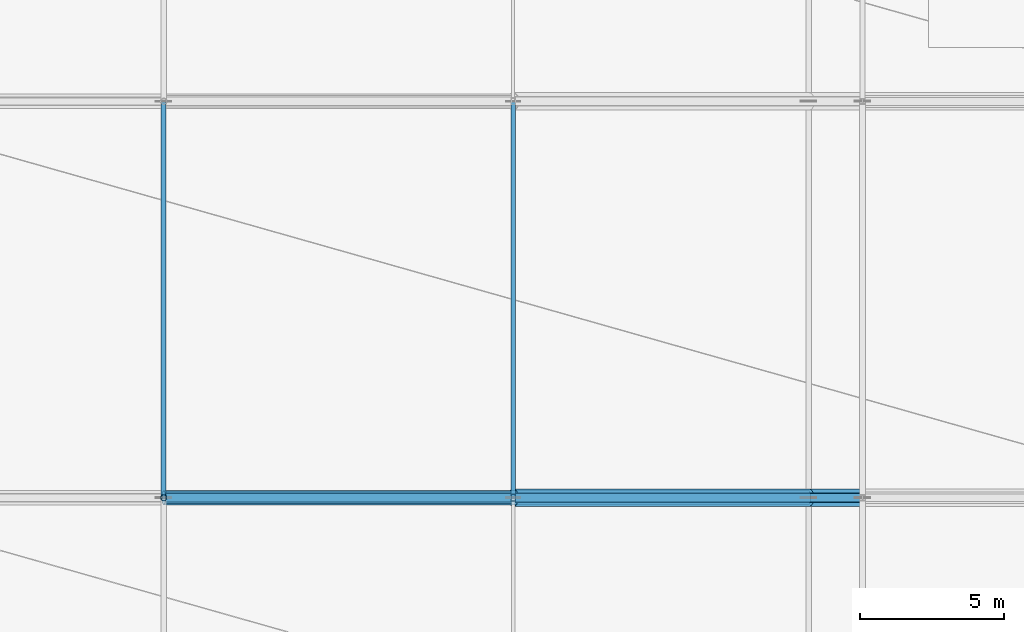
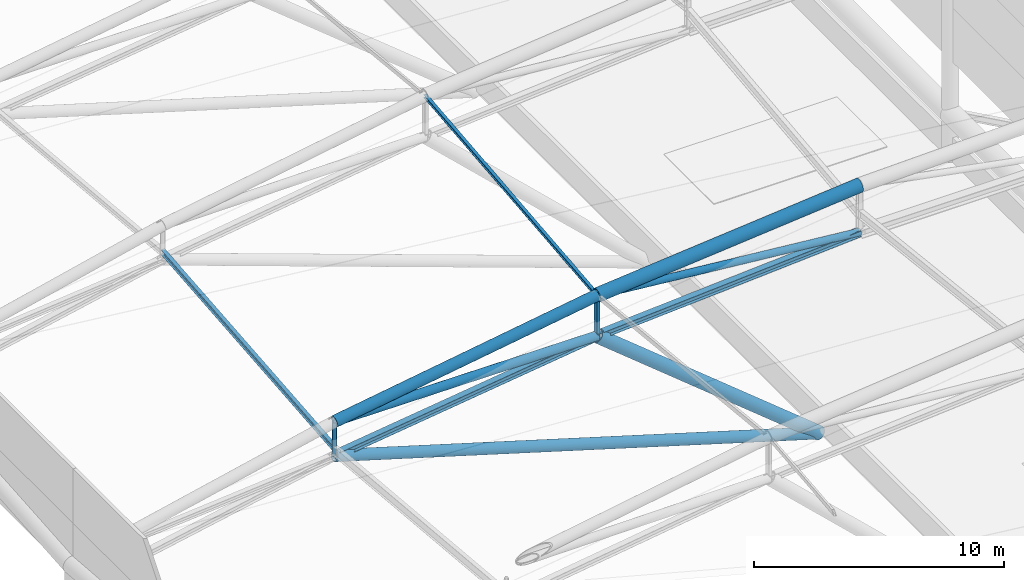
# One storey, part 40 of 113: 12 members.
"""IFC4 building model written with IfcOpenShell, lengths in metres."""

import ifcopenshell
import ifcopenshell.guid

model = None  # the IFC model being written
_history = None  # IfcOwnerHistory: only IFC2X3 demands one
_inside = {}  # id of a spatial element -> (the spatial element, [elements in it])
_under = {}  # id of a project, library or spatial element -> (it, [spatial elements below it])
_declared = {}  # id of a project -> (the project, [libraries it declares])
_typed = {}  # id of a type object -> (the type object, [elements of that type])
_made_of = {}  # id of a material, layer set ... -> (it, [elements and type objects made of it])


def new_model(schema):
    """Start an empty IFC model of exactly this schema.

    Asked for "IFC4X3", IfcOpenShell would pick the latest addendum, in which some entities
    have other attributes; the version numbers below select the first issue.
    IFC2X3 requires an IfcOwnerHistory on every rooted entity: one is made here for all.
    """
    global model, _history
    if schema == "IFC4X3":
        model = ifcopenshell.file(schema_version=(4, 3, 0, 0))
    else:
        model = ifcopenshell.file(schema=schema)
    _inside.clear()
    _under.clear()
    _declared.clear()
    _typed.clear()
    _made_of.clear()
    _history = None
    if model.schema == "IFC2X3":
        org = make("IfcOrganization", Name="unknown")
        user = make(
            "IfcPersonAndOrganization",
            ThePerson=make("IfcPerson", FamilyName="unknown"),
            TheOrganization=org,
        )
        app = make(
            "IfcApplication",
            ApplicationDeveloper=org,
            Version="unknown",
            ApplicationFullName="unknown",
            ApplicationIdentifier="unknown",
        )
        _history = make(
            "IfcOwnerHistory",
            OwningUser=user,
            OwningApplication=app,
            ChangeAction="ADDED",
            CreationDate=0,
        )
    return model


def make(cls, **values):
    """One entity of the class cls with the attributes given. An attribute that is None is left unset."""
    return model.create_entity(
        cls, **{name: value for name, value in values.items() if value is not None}
    )


def rooted(cls, **values):
    """An entity with a GlobalId (a new one), such as an element, a storey or a relation."""
    return make(cls, GlobalId=ifcopenshell.guid.new(), OwnerHistory=_history, **values)


def si_unit(unit_type, name, prefix=None):
    """IfcSIUnit, for example si_unit("LENGTHUNIT", "METRE", prefix="MILLI")."""
    return make("IfcSIUnit", UnitType=unit_type, Prefix=prefix, Name=name)


def assignment(units):
    """IfcUnitAssignment: the units of a project."""
    return None if units is None else make("IfcUnitAssignment", Units=units)


def point(xyz):
    """IfcCartesianPoint."""
    return None if xyz is None else make("IfcCartesianPoint", Coordinates=xyz)


def direction(xyz):
    """IfcDirection."""
    return None if xyz is None else make("IfcDirection", DirectionRatios=xyz)


def frame(location, z_axis=None, x_axis=None):
    """IfcAxis2Placement3D, a coordinate frame: its origin and axes. An axis left out is left unset."""
    return make(
        "IfcAxis2Placement3D",
        Location=point(location),
        Axis=direction(z_axis),
        RefDirection=direction(x_axis),
    )


def frame_2d(location, x_axis=None):
    """IfcAxis2Placement2D, a coordinate frame in the plane: its origin and x axis."""
    return make(
        "IfcAxis2Placement2D", Location=point(location), RefDirection=direction(x_axis)
    )


def origin():
    """The frame at (0, 0, 0) with its axes left unset."""
    return frame((0.0, 0.0, 0.0))


def origin_2d():
    """The frame at (0, 0) in the plane with its x axis left unset."""
    return frame_2d((0.0, 0.0))


def place(relative_to, where):
    """IfcLocalPlacement: puts the frame where relative to a parent placement (None: the world)."""
    return make(
        "IfcLocalPlacement", PlacementRelTo=relative_to, RelativePlacement=where
    )


def context(
    kind, dimensions, precision=None, world=None, true_north=None, identifier=None
):
    """IfcGeometricRepresentationContext, for example the 3D "Model" context."""
    return make(
        "IfcGeometricRepresentationContext",
        ContextIdentifier=identifier,
        ContextType=kind,
        CoordinateSpaceDimension=dimensions,
        Precision=precision,
        WorldCoordinateSystem=world,
        TrueNorth=true_north,
    )


def subcontext(parent, identifier, kind, view, scale=None):
    """IfcGeometricRepresentationSubContext, for example "Body" below "Model"."""
    return make(
        "IfcGeometricRepresentationSubContext",
        ContextIdentifier=identifier,
        ContextType=kind,
        ParentContext=parent,
        TargetScale=scale,
        TargetView=view,
    )


def project(units=None, contexts=None):
    """IfcProject with its units and contexts."""
    return rooted(
        "IfcProject",
        Name="project",
        RepresentationContexts=contexts,
        UnitsInContext=assignment(units),
    )


def spatial(cls, under=None, at=None, **own):
    """A site, building, storey or space (cls), placed at a placement, below another one or the project."""
    s = rooted(cls, ObjectPlacement=at, **own)
    if under is not None:
        _under.setdefault(under.id(), (under, []))[1].append(s)
    return s


def profile(cls, at=None, kind="AREA", **sizes):
    """A parametric profile (cls). Its sizes go by their IFC names, for example OverallWidth=200.0."""
    return make(cls, ProfileType=kind, Position=at, **sizes)


def hollow_rectangle(**sizes):
    """IfcRectangleHollowProfileDef."""
    return profile("IfcRectangleHollowProfileDef", **sizes)


def hollow_circle(**sizes):
    """IfcCircleHollowProfileDef."""
    return profile("IfcCircleHollowProfileDef", **sizes)


def i_section(**sizes):
    """IfcIShapeProfileDef."""
    return profile("IfcIShapeProfileDef", **sizes)


def extrude(swept, where, along, depth):
    """IfcExtrudedAreaSolid: the profile swept, set in the frame where, extruded along a direction by depth."""
    return make(
        "IfcExtrudedAreaSolid",
        SweptArea=swept,
        Position=where,
        ExtrudedDirection=direction(along),
        Depth=depth,
    )


def shape(context_of_items, identifier, shape_type, items):
    """IfcShapeRepresentation: the items that make up one representation, for example the "Body"."""
    return make(
        "IfcShapeRepresentation",
        ContextOfItems=context_of_items,
        RepresentationIdentifier=identifier,
        RepresentationType=shape_type,
        Items=items,
    )


def material(Name=None, Category=None):
    """IfcMaterial."""
    return make("IfcMaterial", Name=Name, Category=Category)


def material_profile(
    of_material, cross_section, Name=None, Category=None, Priority=None
):
    """IfcMaterialProfile: a cross section and its material."""
    return make(
        "IfcMaterialProfile",
        Name=Name,
        Material=of_material,
        Profile=cross_section,
        Priority=Priority,
        Category=Category,
    )


def profile_set(profiles, Name=None, composite=None):
    """IfcMaterialProfileSet."""
    return make(
        "IfcMaterialProfileSet",
        Name=Name,
        MaterialProfiles=profiles,
        CompositeProfile=composite,
    )


def made_of(thing, what):
    """Note that an element or type object is made of a material, layer set ...; save() writes the relation."""
    if what is not None:
        _made_of.setdefault(what.id(), (what, []))[1].append(thing)
    return thing


def type_object(cls, material=None, **own):
    """A type object (cls), such as IfcWallType, which elements share."""
    return made_of(rooted(cls, **own), material)


def element(
    cls,
    number,
    at=None,
    inside=None,
    cuts=None,
    type_object=None,
    material=None,
    context=None,
    identifier="Body",
    shape_type=None,
    held_by="IfcProductDefinitionShape",
    body=None,
    shapes=None,
    **own,
):
    """One element of the class cls, such as IfcWall. Its Tag is "e" and its number.

    at: its placement. inside: the storey or other place that contains it. cuts: it is an
    opening in that element (IfcRelVoidsElement). A single representation is given by context,
    identifier, shape_type and body (its items); several are given by shapes. held_by: the class
    of the entity that holds the representations. save() writes the other relations.
    """
    e = rooted(cls, Tag="e%d" % number, ObjectPlacement=at, **own)
    if body is not None:
        shapes = [shape(context, identifier, shape_type, body)]
    if shapes is not None:
        e.Representation = make(held_by, Representations=shapes)
    if inside is not None:
        _inside.setdefault(inside.id(), (inside, []))[1].append(e)
    if cuts is not None:
        rooted(
            "IfcRelVoidsElement", RelatingBuildingElement=cuts, RelatedOpeningElement=e
        )
    if type_object is not None:
        _typed.setdefault(type_object.id(), (type_object, []))[1].append(e)
    return made_of(e, material)


def aggregate(whole, parts):
    """IfcRelAggregates: a whole, such as a stair, and the parts it consists of."""
    return rooted("IfcRelAggregates", RelatingObject=whole, RelatedObjects=parts)


def save(model, path):
    """Write the relations noted so far, then the file.

    IfcRelAggregates (storeys below a building ...), IfcRelContainedInSpatialStructure (elements
    in a storey), IfcRelDefinesByType, IfcRelAssociatesMaterial and IfcRelDeclares: one each for
    every whole, place, type object, material and project.
    """
    for whole, parts in _under.values():
        aggregate(whole, parts)
    for where, things in _inside.values():
        rooted(
            "IfcRelContainedInSpatialStructure",
            RelatedElements=things,
            RelatingStructure=where,
        )
    for kind, things in _typed.values():
        rooted("IfcRelDefinesByType", RelatedObjects=things, RelatingType=kind)
    for what, things in _made_of.values():
        rooted("IfcRelAssociatesMaterial", RelatedObjects=things, RelatingMaterial=what)
    for by, libraries in _declared.values():
        rooted("IfcRelDeclares", RelatingContext=by, RelatedDefinitions=libraries)
    model.write(path)


model = new_model("IFC4")

# Units and contexts
model_context = context("Model", 3, precision=1e-05, world=origin(), true_north=direction((0.0, 1.0)))
body_context = subcontext(model_context, "Body", "Model", "MODEL_VIEW")
ifc_project = project(units=[si_unit("LENGTHUNIT", "METRE"), si_unit("AREAUNIT", "SQUARE_METRE"), si_unit("VOLUMEUNIT", "CUBIC_METRE"), si_unit("PLANEANGLEUNIT", "RADIAN"), si_unit("MASSUNIT", "GRAM", prefix="KILO")], contexts=[model_context])

# Site, building, storey
site_placement = place(None, origin())
site = spatial("IfcSite", under=ifc_project, at=site_placement, CompositionType="ELEMENT")
building_placement = place(site_placement, origin())
building = spatial("IfcBuilding", under=site, at=building_placement, Name="Linyun Crest Stadium", CompositionType="ELEMENT")
storey_placement = place(building_placement, frame((0.0, 0.0, 26.39990234375)))
storey = spatial("IfcBuildingStorey", under=building, at=storey_placement, Name="L06", CompositionType="ELEMENT", Elevation=26.39990234375)

# Members
ifc_material_1 = material(Name="Steel Q355C", Category="steel")
ifc_material_profile_1 = material_profile(ifc_material_1, i_section(OverallWidth=0.14990234375, OverallDepth=0.14990234375, WebThickness=0.007080078125, FlangeThickness=0.010009765625, at=origin_2d()), Name="HW 150x150")
ifc_profile_set_1 = profile_set([ifc_material_profile_1], Name="Steel Q355C")
member_type_1 = type_object("IfcMemberType", Name="AR01", PredefinedType="USERDEFINED", material=ifc_profile_set_1)
member_1_placement = place(storey_placement, frame((59.75, -11.625, 10.09912109375), z_axis=(0.0, 0.994834033314, 0.101514758336), x_axis=(-1.0, 0.0, 0.0)))
element("IfcMember", 1, at=member_1_placement, inside=storey, type_object=member_type_1, Name="Art Nouveau canopy arch rib AR01 V2 348", ObjectType="ARCH RIB", PredefinedType="USERDEFINED", context=body_context, shape_type="SweptSolid", body=[
    extrude(i_section(OverallWidth=0.14990234375, OverallDepth=0.14990234375, WebThickness=0.007080078125, FlangeThickness=0.010009765625, at=origin_2d()), origin(), (0.0, 0.0, 1.0), 13.8212890625),
])
ifc_material_2 = material(Name="Steel Q355B", Category="steel")
ifc_material_profile_2 = material_profile(ifc_material_2, i_section(OverallWidth=0.175048828125, OverallDepth=0.243896484375, WebThickness=0.007080078125, FlangeThickness=0.010986328125, at=origin_2d()), Name="HM 244x175")
ifc_profile_set_2 = profile_set([ifc_material_profile_2], Name="Steel Q355B")
member_type_2 = type_object("IfcMemberType", Name="PR05", PredefinedType="PURLIN", material=ifc_profile_set_2)
member_2_placement = place(storey_placement, frame((47.625, -11.625, 6.89208984375), z_axis=(0.0, 0.99587405243, 0.09074619384), x_axis=(-1.0, 0.0, 0.0)))
element("IfcMember", 2, at=member_2_placement, inside=storey, type_object=member_type_2, Name="Roof canopy purlin PR05 V2 346", PredefinedType="PURLIN", context=body_context, shape_type="SweptSolid", body=[
    extrude(i_section(OverallWidth=0.175048828125, OverallDepth=0.243896484375, WebThickness=0.007080078125, FlangeThickness=0.010986328125, at=origin_2d()), origin(), (0.0, 0.0, 1.0), 13.806884765625),
])
ifc_material_3 = material(Name="Steel Q420C", Category="steel")
ifc_material_profile_3 = material_profile(ifc_material_3, hollow_circle(Radius=0.25390625, WallThickness=0.02490234375, at=origin_2d()), Name="CHS 508x25")
ifc_profile_set_3 = profile_set([ifc_material_profile_3], Name="Steel Q420C")
member_type_3 = type_object("IfcMemberType", Name="TC01", PredefinedType="CHORD", material=ifc_profile_set_3)
member_3_placement = place(storey_placement, frame((59.75, -11.625, 10.09912109375), z_axis=(-0.987629907488, 0.0, -0.15680295225), x_axis=(0.0, -1.0, 0.0)))
element("IfcMember", 3, at=member_3_placement, inside=storey, type_object=member_type_3, Name="Roof truss top chord TC01 V2 247", PredefinedType="CHORD", context=body_context, shape_type="SweptSolid", body=[
    extrude(hollow_circle(Radius=0.25390625, WallThickness=0.02490234375, at=origin_2d()), origin(), (0.0, 0.0, 1.0), 12.27685546875),
])
member_4_placement = place(storey_placement, frame((70.0, -11.625, -0.21484375), z_axis=(-0.957680635582, 0.0, 0.287832938058), x_axis=(0.0, -1.0, 0.0)))
element("IfcMember", 4, at=member_4_placement, inside=storey, type_object=member_type_3, Name="Roof arch forward V-strut TC01 V2 256", PredefinedType="CHORD", context=body_context, shape_type="SweptSolid", body=[
    extrude(hollow_circle(Radius=0.25390625, WallThickness=0.02490234375, at=origin_2d()), origin(), (0.0, 0.0, 1.0), 23.36376953125),
])
ifc_material_4 = material(Name="Steel Q420C", Category="steel")
ifc_material_profile_4 = material_profile(ifc_material_4, hollow_circle(Radius=0.304931640625, WallThickness=0.030029296875, at=origin_2d()), Name="CHS 610x30")
ifc_profile_set_4 = profile_set([ifc_material_profile_4], Name="Steel Q420C")
member_type_4 = type_object("IfcMemberType", Name="TC02", PredefinedType="CHORD", material=ifc_profile_set_4)
member_5_placement = place(storey_placement, frame((71.875, -11.625, 11.22509765625), z_axis=(-0.995715823804, 0.0, -0.092466200455), x_axis=(0.0, -1.0, 0.0)))
element("IfcMember", 5, at=member_5_placement, inside=storey, type_object=member_type_4, Name="Roof truss top chord TC02 V2 243", PredefinedType="CHORD", context=body_context, shape_type="SweptSolid", body=[
    extrude(hollow_circle(Radius=0.304931640625, WallThickness=0.030029296875, at=origin_2d()), origin(), (0.0, 0.0, 1.0), 12.17724609375),
])
member_6_placement = place(storey_placement, frame((70.0, -11.625, -0.21484375), z_axis=(-0.775752151556, 0.0, 0.631037716271), x_axis=(0.0, -1.0, 0.0)))
element("IfcMember", 6, at=member_6_placement, inside=storey, type_object=member_type_4, Name="Roof arch inclined support strut TC02 V2 255", PredefinedType="CHORD", context=body_context, shape_type="SweptSolid", body=[
    extrude(hollow_circle(Radius=0.304931640625, WallThickness=0.030029296875, at=origin_2d()), origin(), (0.0, 0.0, 1.0), 13.212890625),
])
ifc_material_5 = material(Name="Steel Q355C", Category="steel")
ifc_material_profile_5 = material_profile(ifc_material_5, i_section(OverallWidth=0.300048828125, OverallDepth=0.300048828125, WebThickness=0.010009765625, FlangeThickness=0.014892578125, at=origin_2d()), Name="HW 300x300")
ifc_profile_set_5 = profile_set([ifc_material_profile_5], Name="Steel Q355C")
member_type_5 = type_object("IfcMemberType", Name="TC03", PredefinedType="CHORD", material=ifc_profile_set_5)
member_7_placement = place(storey_placement, frame((71.875, -11.625, 8.93701171875), z_axis=(-0.997754293797, 0.0, -0.066980364359), x_axis=(0.0, -1.0, 0.0)))
element("IfcMember", 7, at=member_7_placement, inside=storey, type_object=member_type_5, Name="Roof truss bottom chord TC03 V2 244", PredefinedType="CHORD", context=body_context, shape_type="SweptSolid", body=[
    extrude(i_section(OverallWidth=0.300048828125, OverallDepth=0.300048828125, WebThickness=0.010009765625, FlangeThickness=0.014892578125, at=origin_2d()), origin(), (0.0, 0.0, 1.0), 12.15234375),
])
member_8_placement = place(storey_placement, frame((59.75, -11.625, 8.123046875), z_axis=(-0.99126673082, 0.0, -0.131872166771), x_axis=(0.0, -1.0, 0.0)))
element("IfcMember", 8, at=member_8_placement, inside=storey, type_object=member_type_5, Name="Roof truss bottom chord TC03 V2 248", PredefinedType="CHORD", context=body_context, shape_type="SweptSolid", body=[
    extrude(i_section(OverallWidth=0.300048828125, OverallDepth=0.300048828125, WebThickness=0.010009765625, FlangeThickness=0.014892578125, at=origin_2d()), origin(), (0.0, 0.0, 1.0), 12.23193359375),
])
ifc_material_6 = material(Name="Steel Q355C", Category="steel")
ifc_material_profile_6 = material_profile(ifc_material_6, hollow_circle(Radius=0.16259765625, WallThickness=0.01611328125, at=origin_2d()), Name="CHS 325x16")
ifc_profile_set_6 = profile_set([ifc_material_profile_6], Name="Steel Q355C")
member_type_6 = type_object("IfcMemberType", Name="TD02", PredefinedType="BRACE", material=ifc_profile_set_6)
member_9_placement = place(storey_placement, frame((71.875, -11.625, 8.93701171875), z_axis=(-0.995438360676, 0.0, 0.095406866076), x_axis=(0.0, -1.0, 0.0)))
element("IfcMember", 9, at=member_9_placement, inside=storey, type_object=member_type_6, Name="Roof truss diagonal TD02 V2 245", PredefinedType="BRACE", context=body_context, shape_type="SweptSolid", body=[
    extrude(hollow_circle(Radius=0.16259765625, WallThickness=0.01611328125, at=origin_2d()), origin(), (0.0, 0.0, 1.0), 12.1806640625),
])
ifc_material_7 = material(Name="Steel Q420C", Category="steel")
ifc_material_profile_7 = material_profile(ifc_material_7, hollow_circle(Radius=0.202880859375, WallThickness=0.02001953125, at=origin_2d()), Name="CHS 406x20")
ifc_profile_set_7 = profile_set([ifc_material_profile_7], Name="Steel Q420C")
member_type_7 = type_object("IfcMemberType", Name="TD03", PredefinedType="BRACE", material=ifc_profile_set_7)
member_10_placement = place(storey_placement, frame((59.75, -11.625, 8.123046875), z_axis=(-0.999991145309, 0.0, 0.004208242376), x_axis=(0.0, -1.0, 0.0)))
element("IfcMember", 10, at=member_10_placement, inside=storey, type_object=member_type_7, Name="Roof truss diagonal TD03 V2 249", PredefinedType="BRACE", context=body_context, shape_type="SweptSolid", body=[
    extrude(hollow_circle(Radius=0.202880859375, WallThickness=0.02001953125, at=origin_2d()), origin(), (0.0, 0.0, 1.0), 12.125),
])
ifc_material_8 = material(Name="Steel Q355C", Category="steel")
ifc_material_profile_8 = material_profile(ifc_material_8, hollow_circle(Radius=0.109619140625, WallThickness=0.011962890625, at=origin_2d()), Name="CHS 219x12")
ifc_profile_set_8 = profile_set([ifc_material_profile_8], Name="Steel Q355C")
member_type_8 = type_object("IfcMemberType", Name="TV01", PredefinedType="STRUT", material=ifc_profile_set_8)
member_11_placement = place(storey_placement, frame((47.625, -11.625, 6.510009765625), z_axis=(0.0, 0.0, 1.0), x_axis=(1.0, 0.0, 0.0)))
element("IfcMember", 11, at=member_11_placement, inside=storey, type_object=member_type_8, Name="Roof vertical strut TV01 V2 254", PredefinedType="STRUT", context=body_context, shape_type="SweptSolid", body=[
    extrude(hollow_circle(Radius=0.109619140625, WallThickness=0.011962890625, at=origin_2d()), origin(), (0.0, 0.0, 1.0), 1.6640625),
])
ifc_material_9 = material(Name="Steel Q355C", Category="steel")
ifc_material_profile_9 = material_profile(ifc_material_9, hollow_rectangle(XDim=0.14990234375, YDim=0.25, WallThickness=0.010009765625, at=origin_2d()), Name="RHS 250x150x10")
ifc_profile_set_9 = profile_set([ifc_material_profile_9], Name="Steel Q355C")
member_type_9 = type_object("IfcMemberType", Name="TV03", PredefinedType="STRUT", material=ifc_profile_set_9)
member_12_placement = place(storey_placement, frame((59.75, -11.625, 8.123046875), z_axis=(0.0, 0.0, 1.0), x_axis=(1.0, 0.0, 0.0)))
element("IfcMember", 12, at=member_12_placement, inside=storey, type_object=member_type_9, Name="Roof vertical strut TV03 V2 250", PredefinedType="STRUT", context=body_context, shape_type="SweptSolid", body=[
    extrude(hollow_rectangle(XDim=0.14990234375, YDim=0.25, WallThickness=0.010009765625, at=origin_2d()), origin(), (0.0, 0.0, 1.0), 1.97607421875),
])

save(model, "model.ifc")
